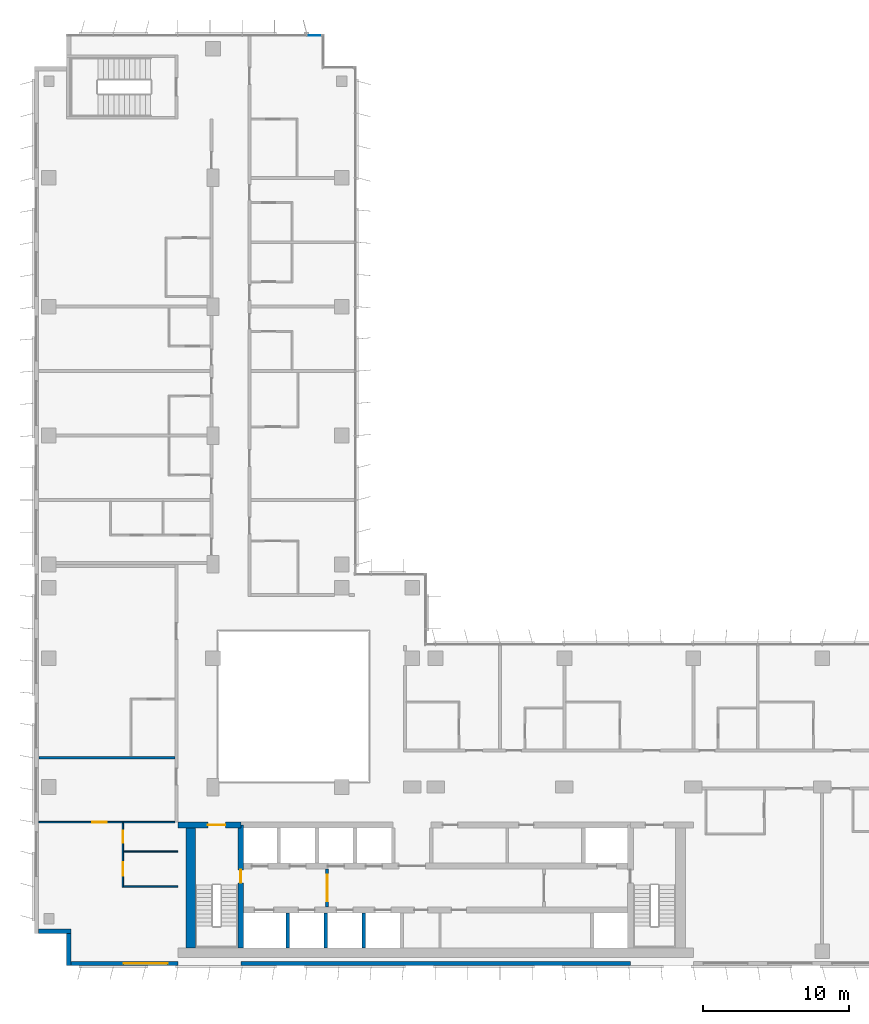
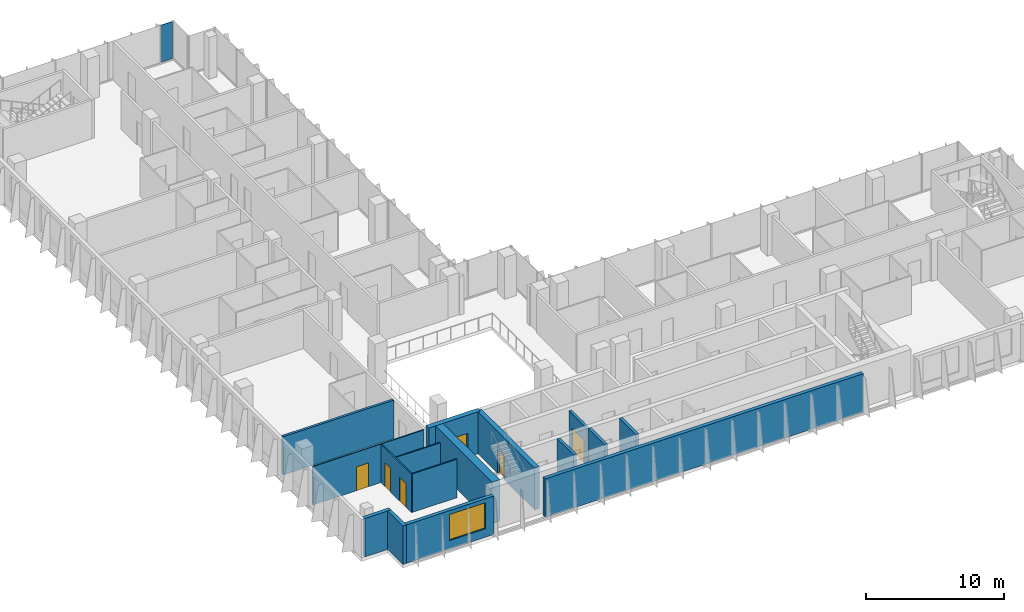
# One storey, part 12 of 21: 16 walls, 6 doors, 1 plate, 1 window, 7 openings, 1 element without a shape of its own.
"""IFC4 building model written with IfcOpenShell, lengths in metres."""

from ifc_helpers import new_model, si_unit, direction, frame, frame_2d, origin, origin_2d, place, context, subcontext, project, spatial, rectangle, extrude, source, transform, mapped, material, layer, layer_set, type_object, element, fill, aggregate, save


model = new_model("IFC4")

# Units and contexts
model_context = context("Model", 3, precision=1e-05, world=origin(), true_north=direction((0.0, 1.0)))
body_context = subcontext(model_context, "Body", "Model", "MODEL_VIEW")
ifc_project = project(units=[si_unit("LENGTHUNIT", "METRE"), si_unit("AREAUNIT", "SQUARE_METRE"), si_unit("VOLUMEUNIT", "CUBIC_METRE"), si_unit("PLANEANGLEUNIT", "RADIAN"), si_unit("MASSUNIT", "GRAM", prefix="KILO")], contexts=[model_context])

# Site, building, storey
site_placement = place(None, origin())
site = spatial("IfcSite", under=ifc_project, at=site_placement, CompositionType="ELEMENT")
building_placement = place(site_placement, origin())
building = spatial("IfcBuilding", under=site, at=building_placement, Name="Kemantara Hotel Tower", CompositionType="ELEMENT")
storey_placement = place(building_placement, frame((0.0, 0.0, 164.199951171875)))
storey = spatial("IfcBuildingStorey", under=building, at=storey_placement, Name="L40", CompositionType="ELEMENT", Elevation=164.199951171875)

# Curtain wall, plate
ifc_material_1 = material(Name="Low-E tinted double insulated glass 36 mm", Category="glass")
curtain_wall_type = type_object("IfcCurtainWallType", Name="TOWER CURTAIN WALL, FRONT FACES", PredefinedType="USERDEFINED", material=ifc_material_1)
curtain_wall_placement = place(storey_placement, origin())
curtain_wall = element("IfcCurtainWall", 1, at=curtain_wall_placement, inside=storey, type_object=curtain_wall_type, Name="CW4 L40 T3-R02-1", ObjectType="TOWER CURTAIN WALL, FRONT FACES", PredefinedType="USERDEFINED")
ifc_layer_1 = layer(ifc_material_1, 0.035888671875)
ifc_layer_set_1 = layer_set([ifc_layer_1], Name="Low-E tinted double insulated glass 36 mm")
plate_type = type_object("IfcPlateType", Name="TOWER CURTAIN WALL, FRONT FACES PANEL", PredefinedType="CURTAIN_PANEL", material=ifc_layer_set_1)
shared_shape = source(origin(), body_context, "Body", "SweptSolid", [
    extrude(rectangle(XDim=0.9599609375, YDim=0.035888671875, at=origin_2d()), origin(), (0.0, 0.0, 1.0), 3.280029296875),
])
plate_placement = place(storey_placement, frame((19.110107421875, 63.52490234375, 0.1201171875), z_axis=(0.0, 0.0, 1.0), x_axis=(-1.0, 0.0, 0.0)))
plate = element("IfcPlate", 2, at=plate_placement, type_object=plate_type, Name="CW4 glass panel T3-R02-1.1", PredefinedType="CURTAIN_PANEL", context=body_context, shape_type="MappedRepresentation", body=[
    mapped(shared_shape, transform((0.0, 0.0, 0.0))),
])
aggregate(curtain_wall, [plate])

# Walls
ifc_material_2 = material(Name="Bronze anodised aluminium cladding on insulated steel stud wall", Category="steel")
ifc_layer_2 = layer(ifc_material_2, 0.300048828125)
ifc_layer_set_2 = layer_set([ifc_layer_2], Name="Bronze anodised aluminium cladding on insulated steel stud wall")
wall_type_1 = type_object("IfcWallType", Name="BRONZE METAL-CLAD EXTERNAL WALL 300", PredefinedType="STANDARD", material=ifc_layer_set_2)
for number, where, z_axis, x_axis, name in (
    (3, (0.300048828125, 2.35009765625, 0.0), (0.0, 0.0, 1.0), (1.0, 0.0, 0.0), "EXTERNAL WALL L40 T3-R06"),
    (4, (2.35009765625, 2.199951171875, 0.0), (0.0, 0.0, 1.0), (0.0, -1.0, 0.0), "EXTERNAL WALL L40 T3-R07"),
):
    element("IfcWall", number, at=place(storey_placement, frame(where, z_axis=z_axis, x_axis=x_axis)), inside=storey, type_object=wall_type_1, Name=name, PredefinedType="STANDARD", context=body_context, shape_type="SweptSolid", body=[
        extrude(rectangle(XDim=2.199951171875, YDim=0.300048828125, at=frame_2d((1.10009765625, 0.0))), origin(), (0.0, 0.0, 1.0), 3.400146484375),
    ])

# Wall, opening, window
wall_1_placement = place(storey_placement, frame((2.5, 0.14990234375, 0.0), z_axis=(0.0, 0.0, 1.0), x_axis=(1.0, 0.0, 0.0)))
wall_1 = element("IfcWall", 5, at=wall_1_placement, inside=storey, type_object=wall_type_1, Name="EXTERNAL WALL L40 T3-R08", PredefinedType="STANDARD", context=body_context, shape_type="SweptSolid", body=[
    extrude(rectangle(XDim=7.300048828125, YDim=0.300048828125, at=frame_2d((3.64990234375, 0.0))), origin(), (0.0, 0.0, 1.0), 3.400146484375),
])
opening_1_placement = place(wall_1_placement, frame((3.60009765625, 0.0, 0.75)))
opening_1 = element("IfcOpeningElement", 6, at=opening_1_placement, cuts=wall_1, Name="Opening W1", PredefinedType="OPENING", context=body_context, shape_type="SweptSolid", body=[
    extrude(rectangle(XDim=3.0, YDim=2.300048828125, at=frame_2d((1.5, 1.14990234375))), frame((0.0, 0.159912109375, 0.0), z_axis=(0.0, -1.0, 0.0), x_axis=(1.0, 0.0, 0.0)), (0.0, 0.0, 1.0), 0.320068359375),
])
ifc_material_3 = material(Name="Low-E tinted double insulated glass in bronze anodised aluminium frame", Category="aluminium")
window_type = type_object("IfcWindowType", Name="CHICAGO WINDOW, TRIPLE PANEL 3000x2300", PartitioningType="TRIPLE_PANEL_VERTICAL", PredefinedType="WINDOW", material=ifc_material_3)
window_placement = place(opening_1_placement, origin())
window = element("IfcWindow", 7, at=window_placement, inside=storey, type_object=window_type, Name="CHICAGO WINDOW L40 T3-R08-54", OverallHeight=2.300048828125, OverallWidth=3.0, PartitioningType="SINGLE_PANEL", PredefinedType="WINDOW", context=body_context, shape_type="SweptSolid", body=[
    extrude(rectangle(XDim=3.0, YDim=2.300048828125, at=frame_2d((1.5, 1.14990234375))), frame((0.0, 0.030029296875, 0.0), z_axis=(0.0, -1.0, 0.0), x_axis=(1.0, 0.0, 0.0)), (0.0, 0.0, 1.0), 0.06005859375),
])
fill(opening_1, window)

# Walls
wall_2_placement = place(storey_placement, frame((14.10009765625, 0.14990234375, 0.0), z_axis=(0.0, 0.0, 1.0), x_axis=(1.0, 0.0, 0.0)))
element("IfcWall", 8, at=wall_2_placement, inside=storey, type_object=wall_type_1, Name="EXTERNAL WALL L40 T3-R08-2", PredefinedType="STANDARD", context=body_context, shape_type="SweptSolid", body=[
    extrude(rectangle(XDim=26.599853515625, YDim=0.300048828125, at=frame_2d((13.2998046875, 0.0))), origin(), (0.0, 0.0, 1.0), 3.400146484375),
])
ifc_material_4 = material(Name="Concrete fc 60 MPa", Category="concrete")
ifc_layer_3 = layer(ifc_material_4, 0.25)
ifc_layer_set_3 = layer_set([ifc_layer_3], Name="Concrete fc 60 MPa")
wall_type_2 = type_object("IfcWallType", Name="CORE WALL 250 FC60", PredefinedType="SHEAR", material=ifc_layer_set_3)
for number, where, z_axis, x_axis, name in (
    (9, (17.300048828125, 1.199951171875, 0.0), (0.0, 0.0, 1.0), (0.0, 1.0, 0.0), "CORE WALL CW-DS17.3"),
    (10, (19.89990234375, 1.199951171875, 0.0), (0.0, 0.0, 1.0), (0.0, 1.0, 0.0), "CORE WALL CW-DS19.9"),
    (11, (22.5, 1.199951171875, 0.0), (0.0, 0.0, 1.0), (0.0, 1.0, 0.0), "CORE WALL CW-DS22.5"),
):
    element("IfcWall", number, at=place(storey_placement, frame(where, z_axis=z_axis, x_axis=x_axis)), inside=storey, type_object=wall_type_2, Name=name, PredefinedType="SHEAR", context=body_context, shape_type="SweptSolid", body=[
        extrude(rectangle(XDim=2.400146484375, YDim=0.25, at=frame_2d((1.2001953125, 0.0))), origin(), (0.0, 0.0, 1.0), 3.699951171875),
    ])

# Wall, opening, door
ifc_layer_4 = layer(ifc_material_4, 0.39990234375)
ifc_layer_set_4 = layer_set([ifc_layer_4], Name="Concrete fc 60 MPa")
wall_type_3 = type_object("IfcWallType", Name="CORE WALL 400 FC60", PredefinedType="SHEAR", material=ifc_layer_set_4)
wall_3_placement = place(storey_placement, frame((9.800048828125, 9.60009765625, 0.0), z_axis=(0.0, 0.0, 1.0), x_axis=(1.0, 0.0, 0.0)))
wall_3 = element("IfcWall", 12, at=wall_3_placement, inside=storey, type_object=wall_type_3, Name="CORE WALL CW-N1", PredefinedType="SHEAR", context=body_context, shape_type="SweptSolid", body=[
    extrude(rectangle(XDim=4.300048828125, YDim=0.39990234375, at=frame_2d((2.14990234375, 0.0))), origin(), (0.0, 0.0, 1.0), 3.699951171875),
])
opening_2_placement = place(wall_3_placement, frame((2.050048828125, 0.0, 0.0)))
opening_2 = element("IfcOpeningElement", 13, at=opening_2_placement, cuts=wall_3, Name="Opening C25-ST1-C", PredefinedType="OPENING", context=body_context, shape_type="SweptSolid", body=[
    extrude(rectangle(XDim=1.199951171875, YDim=2.10009765625, at=frame_2d((0.60009765625, 1.050048828125))), frame((0.0, 0.2099609375, 0.0), z_axis=(0.0, -1.0, 0.0), x_axis=(1.0, 0.0, 0.0)), (0.0, 0.0, 1.0), 0.419921875),
])
ifc_material_5 = material(Name="Steel fire door", Category="steel")
door_type_1 = type_object("IfcDoorType", Name="Fire door FD90 1200 x 2100", OperationType="NOTDEFINED", PredefinedType="DOOR", material=ifc_material_5)
door_1_placement = place(opening_2_placement, frame((1.199951171875, 0.0, 0.0), z_axis=(0.0, 0.0, 1.0), x_axis=(-1.0, 0.0, 0.0)))
door_1 = element("IfcDoor", 14, at=door_1_placement, inside=storey, type_object=door_type_1, Name="Stair ST1 door to corridor", OperationType="SINGLE_SWING_LEFT", OverallHeight=2.10009765625, OverallWidth=1.199951171875, PredefinedType="DOOR", context=body_context, shape_type="SweptSolid", body=[
    extrude(rectangle(XDim=1.199951171875, YDim=2.10009765625, at=frame_2d((0.60009765625, 1.050048828125))), frame((0.0, 0.02490234375, 0.0), z_axis=(0.0, -1.0, 0.0), x_axis=(1.0, 0.0, 0.0)), (0.0, 0.0, 1.0), 0.050048828125),
])
fill(opening_2, door_1)

wall_4_placement = place(storey_placement, frame((14.10009765625, 1.199951171875, 0.0), z_axis=(0.0, 0.0, 1.0), x_axis=(0.0, 1.0, 0.0)))
wall_4 = element("IfcWall", 15, at=wall_4_placement, inside=storey, type_object=wall_type_3, Name="CORE WALL CW-ST1E", PredefinedType="SHEAR", context=body_context, shape_type="SweptSolid", body=[
    extrude(rectangle(XDim=8.400146484375, YDim=0.39990234375, at=frame_2d((4.2001953125, 0.0))), origin(), (0.0, 0.0, 1.0), 3.699951171875),
])
opening_3_placement = place(wall_4_placement, frame((4.449951171875, 0.0, 0.0)))
opening_3 = element("IfcOpeningElement", 16, at=opening_3_placement, cuts=wall_4, Name="Opening C25-ST1-F", PredefinedType="OPENING", context=body_context, shape_type="SweptSolid", body=[
    extrude(rectangle(XDim=0.89990234375, YDim=2.10009765625, at=frame_2d((0.449951171875, 1.050048828125))), frame((0.0, 0.2099609375, 0.0), z_axis=(0.0, -1.0, 0.0), x_axis=(1.0, 0.0, 0.0)), (0.0, 0.0, 1.0), 0.419921875),
])
door_type_2 = type_object("IfcDoorType", Name="Fire door FD90 900 x 2100", OperationType="NOTDEFINED", PredefinedType="DOOR", material=ifc_material_5)
door_2_placement = place(opening_3_placement, origin())
door_2 = element("IfcDoor", 17, at=door_2_placement, inside=storey, type_object=door_type_2, Name="Stair ST1 door to firefighting lobby", OperationType="SINGLE_SWING_RIGHT", OverallHeight=2.10009765625, OverallWidth=0.89990234375, PredefinedType="DOOR", context=body_context, shape_type="SweptSolid", body=[
    extrude(rectangle(XDim=0.89990234375, YDim=2.10009765625, at=frame_2d((0.449951171875, 1.050048828125))), frame((0.0, 0.02490234375, 0.0), z_axis=(0.0, -1.0, 0.0), x_axis=(1.0, 0.0, 0.0)), (0.0, 0.0, 1.0), 0.050048828125),
])
fill(opening_3, door_2)

# Walls
ifc_layer_5 = layer(ifc_material_4, 0.64990234375)
ifc_layer_set_5 = layer_set([ifc_layer_5], Name="Concrete fc 60 MPa")
wall_type_4 = type_object("IfcWallType", Name="CORE WALL 650 FC60", PredefinedType="SHEAR", material=ifc_layer_set_5)
wall_5_placement = place(storey_placement, frame((10.675048828125, 1.199951171875, 0.0), z_axis=(0.0, 0.0, 1.0), x_axis=(0.0, 1.0, 0.0)))
element("IfcWall", 18, at=wall_5_placement, inside=storey, type_object=wall_type_4, Name="CORE WALL CW-W", PredefinedType="SHEAR", context=body_context, shape_type="SweptSolid", body=[
    extrude(rectangle(XDim=8.60009765625, YDim=0.64990234375, at=frame_2d((4.300048828125, 0.0))), origin(), (0.0, 0.0, 1.0), 3.699951171875),
])
ifc_material_6 = material(Name="Gypsum board partition, steel studs and mineral wool, 200 mm", Category="steel")
ifc_layer_6 = layer(ifc_material_6, 0.199951171875)
ifc_layer_set_6 = layer_set([ifc_layer_6], Name="Gypsum board partition, steel studs and mineral wool, 200 mm")
wall_type_5 = type_object("IfcWallType", Name="GUEST ROOM PARTY WALL 200", PredefinedType="PARTITIONING", material=ifc_layer_set_6)
wall_6_placement = place(storey_placement, frame((0.31005859375, 14.199951171875, 0.0), z_axis=(0.0, 0.0, 1.0), x_axis=(1.0, 0.0, 0.0)))
element("IfcWall", 19, at=wall_6_placement, inside=storey, type_object=wall_type_5, Name="GUEST ROOM PARTY WALL 200 013", PredefinedType="PARTITIONING", context=body_context, shape_type="SweptSolid", body=[
    extrude(rectangle(XDim=9.2900390625, YDim=0.199951171875, at=frame_2d((4.64501953125, 0.0))), origin(), (0.0, 0.0, 1.0), 3.400146484375),
])

# Wall, opening, door
ifc_material_7 = material(Name="Gypsum board shaft wall")
ifc_layer_7 = layer(ifc_material_7, 0.199951171875)
ifc_layer_set_7 = layer_set([ifc_layer_7], Name="Gypsum board shaft wall")
wall_type_6 = type_object("IfcWallType", Name="Gypsum board shaft wall 200 mm", PredefinedType="PARTITIONING", material=ifc_layer_set_7)
wall_7_placement = place(storey_placement, frame((20.0, 4.0, 0.0), z_axis=(0.0, 0.0, 1.0), x_axis=(0.0, 1.0, 0.0)))
wall_7 = element("IfcWall", 20, at=wall_7_placement, inside=storey, type_object=wall_type_6, Name="Firefighting lobby partition west", PredefinedType="PARTITIONING", context=body_context, shape_type="SweptSolid", body=[
    extrude(rectangle(XDim=2.60009765625, YDim=0.199951171875, at=frame_2d((1.300048828125, 0.0))), origin(), (0.0, 0.0, 1.0), 3.400146484375),
])
opening_4_placement = place(wall_7_placement, frame((0.39990234375, 0.0, 0.0)))
opening_4 = element("IfcOpeningElement", 21, at=opening_4_placement, cuts=wall_7, Name="Opening C25-FFW", PredefinedType="OPENING", context=body_context, shape_type="SweptSolid", body=[
    extrude(rectangle(XDim=1.800048828125, YDim=2.10009765625, at=frame_2d((0.89990234375, 1.050048828125))), frame((0.0, 0.10986328125, 0.0), z_axis=(0.0, -1.0, 0.0), x_axis=(1.0, 0.0, 0.0)), (0.0, 0.0, 1.0), 0.219970703125),
])
door_type_3 = type_object("IfcDoorType", Name="Fire door pair FD60 1800 x 2100", OperationType="DOUBLE_DOOR_SINGLE_SWING", PredefinedType="DOOR", material=ifc_material_5)
door_3_placement = place(opening_4_placement, origin())
door_3 = element("IfcDoor", 22, at=door_3_placement, inside=storey, type_object=door_type_3, Name="Firefighting lobby door west", OperationType="DOUBLE_DOOR_SINGLE_SWING", OverallHeight=2.10009765625, OverallWidth=1.800048828125, PredefinedType="DOOR", context=body_context, shape_type="SweptSolid", body=[
    extrude(rectangle(XDim=1.800048828125, YDim=2.10009765625, at=frame_2d((0.89990234375, 1.050048828125))), frame((0.0, 0.02490234375, 0.0), z_axis=(0.0, -1.0, 0.0), x_axis=(1.0, 0.0, 0.0)), (0.0, 0.0, 1.0), 0.050048828125),
])
fill(opening_4, door_3)

# Wall, openings, doors
ifc_material_8 = material(Name="Gypsum board partition on steel studs, 100 mm", Category="steel")
ifc_layer_8 = layer(ifc_material_8, 0.10009765625)
ifc_layer_set_8 = layer_set([ifc_layer_8], Name="Gypsum board partition on steel studs, 100 mm")
wall_type_7 = type_object("IfcWallType", Name="ROOM PARTITION 100", PredefinedType="PARTITIONING", material=ifc_layer_set_8)
wall_8_placement = place(storey_placement, frame((6.050048828125, 9.75, 0.0), z_axis=(0.0, 0.0, 1.0), x_axis=(0.0, -1.0, 0.0)))
wall_8 = element("IfcWall", 23, at=wall_8_placement, inside=storey, type_object=wall_type_7, Name="ROOM PARTITION 100 048", PredefinedType="PARTITIONING", context=body_context, shape_type="SweptSolid", body=[
    extrude(rectangle(XDim=4.39990234375, YDim=0.10009765625, at=frame_2d((2.199951171875, 0.0))), origin(), (0.0, 0.0, 1.0), 3.400146484375),
])
opening_5_placement = place(wall_8_placement, frame((2.699951171875, 0.0, 0.0)))
opening_5 = element("IfcOpeningElement", 24, at=opening_5_placement, cuts=wall_8, Name="Opening F18-017", PredefinedType="OPENING", context=body_context, shape_type="SweptSolid", body=[
    extrude(rectangle(XDim=0.89990234375, YDim=2.10009765625, at=frame_2d((0.449951171875, 1.050048828125))), frame((0.0, 0.06005859375, 0.0), z_axis=(0.0, -1.0, 0.0), x_axis=(1.0, 0.0, 0.0)), (0.0, 0.0, 1.0), 0.1201171875),
])
opening_6_placement = place(wall_8_placement, frame((0.550048828125, 0.0, 0.0)))
opening_6 = element("IfcOpeningElement", 25, at=opening_6_placement, cuts=wall_8, Name="Opening F18-018", PredefinedType="OPENING", context=body_context, shape_type="SweptSolid", body=[
    extrude(rectangle(XDim=0.800048828125, YDim=2.10009765625, at=frame_2d((0.39990234375, 1.050048828125))), frame((0.0, 0.06005859375, 0.0), z_axis=(0.0, -1.0, 0.0), x_axis=(1.0, 0.0, 0.0)), (0.0, 0.0, 1.0), 0.1201171875),
])
ifc_material_9 = material(Name="Hardwood veneer door leaf with steel frame", Category="steel")
door_type_4 = type_object("IfcDoorType", Name="BATHROOM DOOR 900 X 2100", OperationType="NOTDEFINED", PredefinedType="DOOR", material=ifc_material_9)
door_4_placement = place(opening_5_placement, origin())
door_4 = element("IfcDoor", 26, at=door_4_placement, inside=storey, type_object=door_type_4, Name="BATHROOM DOOR F18-017", OperationType="SINGLE_SWING_LEFT", OverallHeight=2.10009765625, OverallWidth=0.89990234375, PredefinedType="DOOR", context=body_context, shape_type="SweptSolid", body=[
    extrude(rectangle(XDim=0.89990234375, YDim=2.10009765625, at=frame_2d((0.449951171875, 1.050048828125))), frame((0.0, 0.02490234375, 0.0), z_axis=(0.0, -1.0, 0.0), x_axis=(1.0, 0.0, 0.0)), (0.0, 0.0, 1.0), 0.050048828125),
])
fill(opening_5, door_4)
door_type_5 = type_object("IfcDoorType", Name="WARDROBE DOOR 800 X 2100", OperationType="NOTDEFINED", PredefinedType="DOOR", material=ifc_material_9)
door_5_placement = place(opening_6_placement, origin())
door_5 = element("IfcDoor", 27, at=door_5_placement, inside=storey, type_object=door_type_5, Name="WARDROBE DOOR F18-018", OperationType="SINGLE_SWING_LEFT", OverallHeight=2.10009765625, OverallWidth=0.800048828125, PredefinedType="DOOR", context=body_context, shape_type="SweptSolid", body=[
    extrude(rectangle(XDim=0.800048828125, YDim=2.10009765625, at=frame_2d((0.39990234375, 1.050048828125))), frame((0.0, 0.02490234375, 0.0), z_axis=(0.0, -1.0, 0.0), x_axis=(1.0, 0.0, 0.0)), (0.0, 0.0, 1.0), 0.050048828125),
])
fill(opening_6, door_5)

# Wall, opening, door
wall_9_placement = place(storey_placement, frame((9.60009765625, 9.800048828125, 0.0), z_axis=(0.0, 0.0, 1.0), x_axis=(-1.0, 0.0, 0.0)))
wall_9 = element("IfcWall", 28, at=wall_9_placement, inside=storey, type_object=wall_type_7, Name="ROOM PARTITION 100 049", PredefinedType="PARTITIONING", context=body_context, shape_type="SweptSolid", body=[
    extrude(rectangle(XDim=9.2900390625, YDim=0.10009765625, at=frame_2d((4.64501953125, 0.0))), origin(), (0.0, 0.0, 1.0), 3.400146484375),
])
opening_7_placement = place(wall_9_placement, frame((4.64990234375, 0.0, 0.0)))
opening_7 = element("IfcOpeningElement", 29, at=opening_7_placement, cuts=wall_9, Name="Opening F18-016", PredefinedType="OPENING", context=body_context, shape_type="SweptSolid", body=[
    extrude(rectangle(XDim=1.0, YDim=2.10009765625, at=frame_2d((0.5, 1.050048828125))), frame((0.0, 0.06005859375, 0.0), z_axis=(0.0, -1.0, 0.0), x_axis=(1.0, 0.0, 0.0)), (0.0, 0.0, 1.0), 0.1201171875),
])
door_type_6 = type_object("IfcDoorType", Name="INTERNAL DOOR 1000 X 2100", OperationType="NOTDEFINED", PredefinedType="DOOR", material=ifc_material_9)
door_6_placement = place(opening_7_placement, origin())
door_6 = element("IfcDoor", 30, at=door_6_placement, inside=storey, type_object=door_type_6, Name="INTERNAL DOOR F18-016", OperationType="SINGLE_SWING_LEFT", OverallHeight=2.10009765625, OverallWidth=1.0, PredefinedType="DOOR", context=body_context, shape_type="SweptSolid", body=[
    extrude(rectangle(XDim=1.0, YDim=2.10009765625, at=frame_2d((0.5, 1.050048828125))), frame((0.0, 0.02490234375, 0.0), z_axis=(0.0, -1.0, 0.0), x_axis=(1.0, 0.0, 0.0)), (0.0, 0.0, 1.0), 0.050048828125),
])
fill(opening_7, door_6)

# Walls
for number, where, z_axis, x_axis, name in (
    (31, (6.10009765625, 5.39990234375, 0.0), (0.0, 0.0, 1.0), (1.0, 0.0, 0.0), "ROOM PARTITION 100 050"),
    (32, (6.10009765625, 7.800048828125, 0.0), (0.0, 0.0, 1.0), (1.0, 0.0, 0.0), "ROOM PARTITION 100 051"),
):
    element("IfcWall", number, at=place(storey_placement, frame(where, z_axis=z_axis, x_axis=x_axis)), inside=storey, type_object=wall_type_7, Name=name, PredefinedType="PARTITIONING", context=body_context, shape_type="SweptSolid", body=[
        extrude(rectangle(XDim=3.69970703125, YDim=0.10009765625, at=frame_2d((1.849853515625, 0.0))), origin(), (0.0, 0.0, 1.0), 3.400146484375),
    ])

save(model, "model.ifc")
